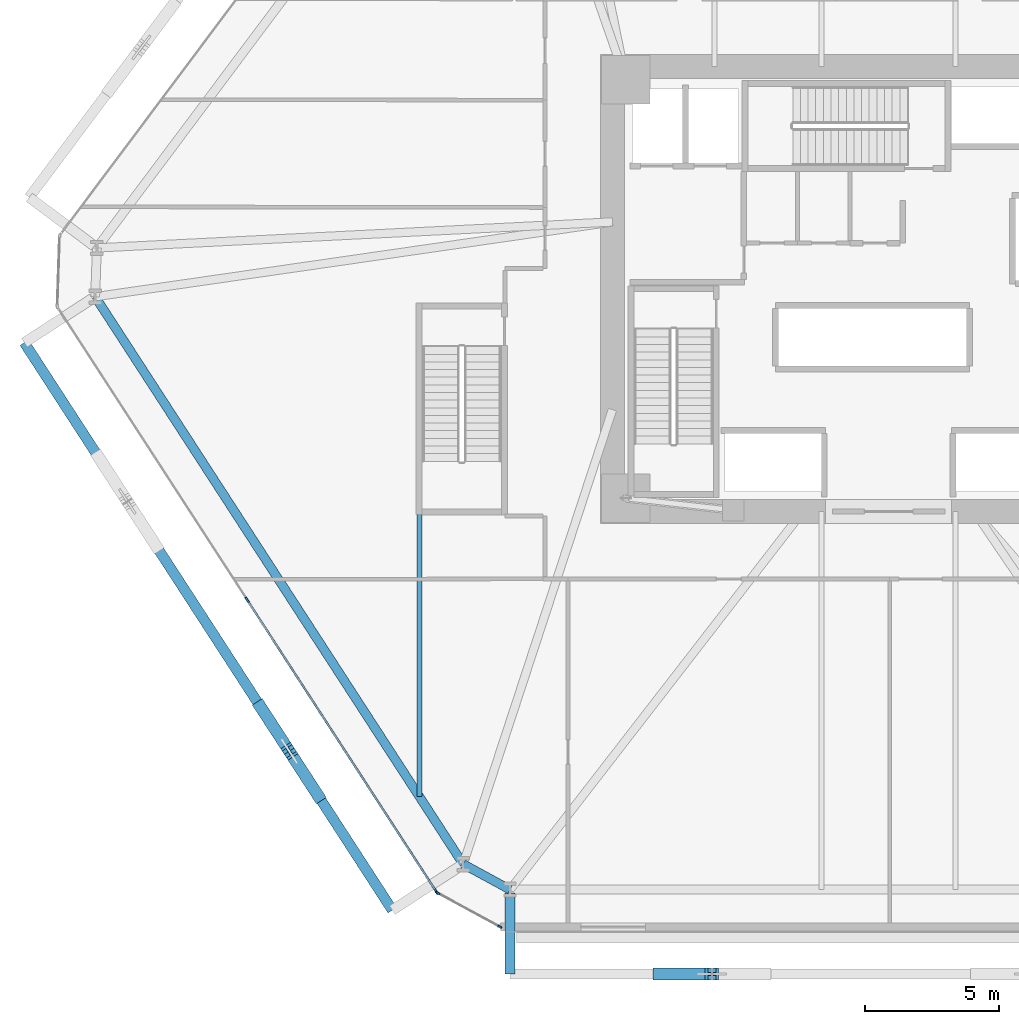
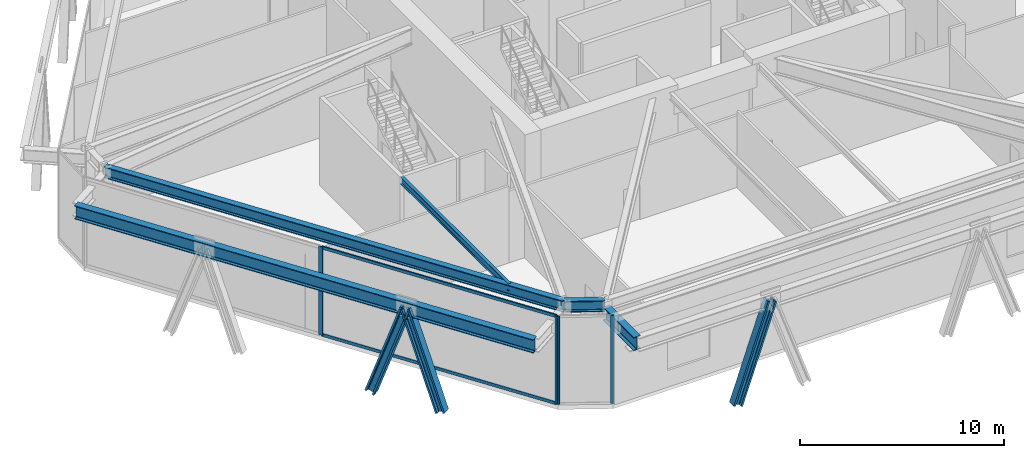
# One storey, part 2 of 23: 9 members, 5 beams, 2 elements without a shape of their own.
"""IFC4 building model written with IfcOpenShell, lengths in metres."""

from ifc_helpers import new_model, si_unit, direction, frame, origin, origin_2d, place, context, subcontext, project, spatial, rectangle, i_section, extrude, source, transform, mapped, material, layer, layer_set, material_profile, profile_set, type_object, type_shapes, element, aggregate, save


model = new_model("IFC4")

# Units and contexts
model_context = context("Model", 3, precision=1e-05, world=origin(), true_north=direction((0.0, 1.0)))
body_context = subcontext(model_context, "Body", "Model", "MODEL_VIEW")
ifc_project = project(units=[si_unit("LENGTHUNIT", "METRE"), si_unit("AREAUNIT", "SQUARE_METRE"), si_unit("VOLUMEUNIT", "CUBIC_METRE"), si_unit("PLANEANGLEUNIT", "RADIAN"), si_unit("MASSUNIT", "GRAM", prefix="KILO")], contexts=[model_context])

# Site, building, storey
site_placement = place(None, origin())
site = spatial("IfcSite", under=ifc_project, at=site_placement, CompositionType="ELEMENT")
building_placement = place(site_placement, origin())
building = spatial("IfcBuilding", under=site, at=building_placement, Name="Durnholm Broadcast Tower", CompositionType="ELEMENT")
storey_placement = place(building_placement, frame((0.0, 0.0, 21.199951171875)))
storey = spatial("IfcBuildingStorey", under=building, at=storey_placement, Name="L04", CompositionType="ELEMENT", Elevation=21.199951171875)

# Beams
ifc_material_1 = material(Name="Steel ASTM A992 Grade 50", Category="steel")
ifc_material_profile_1 = material_profile(ifc_material_1, i_section(OverallWidth=0.3330078125, OverallDepth=0.660888671875, WebThickness=0.0244140625, FlangeThickness=0.0439453125, FilletRadius=0.02783203125, at=origin_2d()), Name="W24X229")
ifc_profile_set_1 = profile_set([ifc_material_profile_1], Name="Steel ASTM A992 Grade 50")
beam_type_1 = type_object("IfcBeamType", Name="STL-SP-W24X229", PredefinedType="SPANDREL", material=ifc_profile_set_1)
shared_shape_1 = source(origin(), body_context, "Body", "SweptSolid", [
    extrude(i_section(OverallWidth=0.3330078125, OverallDepth=0.660888671875, WebThickness=0.0244140625, FlangeThickness=0.0439453125, FilletRadius=0.02783203125, at=origin_2d()), origin(), (0.0, 0.0, 1.0), 25.22265625),
])
beam_1_placement = place(storey_placement, frame((-15.866455078125, -21.45068359375, 4.9345703125), z_axis=(-0.544117081794, 0.839009297505, 0.0), x_axis=(-0.839009297505, -0.544117081794, 0.0)))
element("IfcBeam", 1, at=beam_1_placement, inside=storey, type_object=beam_type_1, Name="L04 perimeter spandrel girder 01", PredefinedType="SPANDREL", context=body_context, shape_type="MappedRepresentation", body=[
    mapped(shared_shape_1, transform((0.0, 0.0, 0.0), x_axis=(1.0, 0.0, 0.0), y_axis=(0.0, 1.0, 0.0), z_axis=(0.0, 0.0, 1.0), scale=1.0)),
])
shared_shape_2 = source(origin(), body_context, "Body", "SweptSolid", [
    extrude(i_section(OverallWidth=0.3330078125, OverallDepth=0.660888671875, WebThickness=0.0244140625, FlangeThickness=0.0439453125, FilletRadius=0.02783203125, at=origin_2d()), origin(), (0.0, 0.0, 1.0), 1.98828125),
])
type_shapes(beam_type_1, [shared_shape_1, shared_shape_2])
beam_2_placement = place(storey_placement, frame((-14.119384765625, -22.39990234375, 4.9345703125), z_axis=(-0.878682739647, 0.477406161508, 0.0), x_axis=(-0.477406161508, -0.878682739647, 0.0)))
element("IfcBeam", 2, at=beam_2_placement, inside=storey, type_object=beam_type_1, Name="L04 perimeter spandrel girder 12", PredefinedType="SPANDREL", context=body_context, shape_type="MappedRepresentation", body=[
    mapped(shared_shape_2, transform((0.0, 0.0, 0.0), x_axis=(1.0, 0.0, 0.0), y_axis=(0.0, 1.0, 0.0), z_axis=(0.0, 0.0, 1.0), scale=1.0)),
])
ifc_material_profile_2 = material_profile(ifc_material_1, i_section(OverallWidth=0.180908203125, OverallDepth=0.417236328125, WebThickness=0.010986328125, FlangeThickness=0.018310546875, FilletRadius=0.01904296875, at=origin_2d()), Name="W16X57")
ifc_profile_set_2 = profile_set([ifc_material_profile_2], Name="Steel ASTM A992 Grade 50")
beam_type_2 = type_object("IfcBeamType", Name="STL-BJ-W16X57", PredefinedType="JOIST", material=ifc_profile_set_2)
shared_shape_3 = source(origin(), body_context, "Body", "SweptSolid", [
    extrude(i_section(OverallWidth=0.180908203125, OverallDepth=0.417236328125, WebThickness=0.010986328125, FlangeThickness=0.018310546875, FilletRadius=0.01904296875, at=origin_2d()), origin(), (0.0, 0.0, 1.0), 10.581787109375),
])
type_shapes(beam_type_2, [shared_shape_3])
beam_3_placement = place(storey_placement, frame((-17.5, -18.931884765625, 5.056396484375), z_axis=(0.0, 1.0, 0.0), x_axis=(-1.0, 0.0, 0.0)))
element("IfcBeam", 3, at=beam_3_placement, inside=storey, type_object=beam_type_2, Name="L04 secondary floor joist 2.1", PredefinedType="JOIST", context=body_context, shape_type="MappedRepresentation", body=[
    mapped(shared_shape_3, transform((0.0, 0.0, 0.0), x_axis=(1.0, 0.0, 0.0), y_axis=(0.0, 1.0, 0.0), z_axis=(0.0, 0.0, 1.0), scale=1.0)),
])
ifc_material_profile_3 = material_profile(ifc_material_1, i_section(OverallWidth=0.385009765625, OverallDepth=0.802978515625, WebThickness=0.023681640625, FlangeThickness=0.0419921875, FilletRadius=0.032958984375, at=origin_2d()), Name="W30X261")
ifc_profile_set_3 = profile_set([ifc_material_profile_3], Name="Steel ASTM A992 Grade 50")
beam_type_3 = type_object("IfcBeamType", Name="BM-EXO-TIE", PredefinedType="USERDEFINED", material=ifc_profile_set_3)
shared_shape_4 = source(origin(), body_context, "Body", "SweptSolid", [
    extrude(i_section(OverallWidth=0.385009765625, OverallDepth=0.802978515625, WebThickness=0.023681640625, FlangeThickness=0.0419921875, FilletRadius=0.032958984375, at=origin_2d()), origin(), (0.0, 0.0, 1.0), 3.024169921875),
])
beam_4_placement = place(storey_placement, frame((-14.119384765625, -22.52587890625, 4.528564453125), z_axis=(0.0, -1.0, 0.0), x_axis=(1.0, 0.0, 0.0)))
element("IfcBeam", 4, at=beam_4_placement, inside=storey, type_object=beam_type_3, Name="L04 exoskeleton stand-off tie bracket F1.1", ObjectType="GIRDER", PredefinedType="USERDEFINED", context=body_context, shape_type="MappedRepresentation", body=[
    mapped(shared_shape_4, transform((0.0, 0.0, 0.0), x_axis=(1.0, 0.0, 0.0), y_axis=(0.0, 1.0, 0.0), z_axis=(0.0, 0.0, 1.0), scale=1.0)),
])
shared_shape_5 = source(origin(), body_context, "Body", "SweptSolid", [
    extrude(i_section(OverallWidth=0.385009765625, OverallDepth=0.802978515625, WebThickness=0.023681640625, FlangeThickness=0.0419921875, FilletRadius=0.032958984375, at=origin_2d()), origin(), (0.0, 0.0, 1.0), 25.222412109375),
])
type_shapes(beam_type_3, [shared_shape_4, shared_shape_5])
beam_5_placement = place(storey_placement, frame((-32.2333984375, -2.002685546875, 4.528564453125), z_axis=(0.544114686912, -0.839010850637, 0.0), x_axis=(0.839010850637, 0.544114686912, 0.0)))
element("IfcBeam", 5, at=beam_5_placement, inside=storey, type_object=beam_type_3, Name="L04 exoskeleton collector spandrel F6", PredefinedType="SPANDREL", context=body_context, shape_type="MappedRepresentation", body=[
    mapped(shared_shape_5, transform((0.0, 0.0, 0.0), x_axis=(1.0, 0.0, 0.0), y_axis=(0.0, 1.0, 0.0), z_axis=(0.0, 0.0, 1.0), scale=1.0)),
])

# Members
ifc_material_2 = material(Name="Steel ASTM A913 Grade 65", Category="steel")
ifc_material_profile_4 = material_profile(ifc_material_2, i_section(OverallWidth=0.44189453125, OverallDepth=0.531494140625, WebThickness=0.06591796875, FlangeThickness=0.105712890625, FilletRadius=0.030517578125, at=origin_2d()), Name="W14X605")
ifc_profile_set_4 = profile_set([ifc_material_profile_4], Name="Steel ASTM A913 Grade 65")
member_type_1 = type_object("IfcMemberType", Name="STL-DG-W14X605", PredefinedType="BRACE", material=ifc_profile_set_4)
shared_shape_6 = source(origin(), body_context, "Body", "SweptSolid", [
    extrude(i_section(OverallWidth=0.44189453125, OverallDepth=0.531494140625, WebThickness=0.06591796875, FlangeThickness=0.105712890625, FilletRadius=0.030517578125, at=origin_2d()), origin(), (0.0, 0.0, 1.0), 5.927978515625),
])
type_shapes(member_type_1, [shared_shape_6])
for number, where, z_axis, x_axis, name in (
    (6, (-8.533935546875, -25.550048828125, -1.071533203125), (0.327953495245, 0.0, 0.944693868381), (0.0, 1.0, 0.0), "L04 stand-off diagrid brace F1.D1.1"),
    (7, (-23.409912109375, -15.60791015625, -1.071533203125), (0.178450941475, -0.27519252041, 0.944682136063), (0.839034101522, 0.544078832968, 0.0), "L04 stand-off diagrid brace F6.D2.1"),
    (8, (-21.294189453125, -18.870361328125, -1.071533203125), (-0.178452963845, 0.275154454523, 0.944692842066), (-0.838996925284, -0.544136158847, 0.0), "L04 stand-off diagrid brace F6.D2.2"),
):
    element("IfcMember", number, at=place(storey_placement, frame(where, z_axis=z_axis, x_axis=x_axis)), inside=storey, type_object=member_type_1, Name=name, PredefinedType="BRACE", context=body_context, shape_type="MappedRepresentation", body=[
        mapped(shared_shape_6, transform((0.0, 0.0, 0.0), x_axis=(1.0, 0.0, 0.0), y_axis=(0.0, 1.0, 0.0), z_axis=(0.0, 0.0, 1.0), scale=1.0)),
    ])

# Curtain wall, members
ifc_material_3 = material(Name="Aluminium and Solar Control IGU", Category="aluminium")
ifc_layer_1 = layer(ifc_material_3, 0.219970703125)
ifc_layer_set_1 = layer_set([ifc_layer_1], Name="Aluminium and Solar Control IGU")
curtain_wall_type_1 = type_object("IfcCurtainWallType", Name="CW-SYS-2", PredefinedType="NOTDEFINED", material=ifc_layer_set_1)
curtain_wall_1_placement = place(storey_placement, origin())
curtain_wall_1 = element("IfcCurtainWall", 9, at=curtain_wall_1_placement, inside=storey, type_object=curtain_wall_type_1, Name="L04 curtain wall CW-STUDIO CW-L04-F12", PredefinedType="NOTDEFINED")
ifc_material_4 = material(Name="Aluminium 6063-T6", Category="aluminium")
ifc_material_profile_5 = material_profile(ifc_material_4, rectangle(XDim=0.074951171875, YDim=0.179931640625, at=origin_2d()), Name="CWT75X180")
ifc_profile_set_5 = profile_set([ifc_material_profile_5], Name="Aluminium 6063-T6")
member_type_2 = type_object("IfcMemberType", Name="CW-SYS-2-TRN", PredefinedType="USERDEFINED", material=ifc_profile_set_5)
shared_shape_7 = source(origin(), body_context, "Body", "SweptSolid", [
    extrude(rectangle(XDim=0.074951171875, YDim=0.179931640625, at=origin_2d()), origin(), (0.0, 0.0, 1.0), 12.896728515625),
])
type_shapes(member_type_2, [shared_shape_7])
member_1_placement = place(storey_placement, frame((-16.888427734375, -22.447998046875, 0.03759765625), z_axis=(-0.544101072489, 0.839019679695, 0.0), x_axis=(-0.839019679695, -0.544101072489, 0.0)))
member_1 = element("IfcMember", 10, at=member_1_placement, type_object=member_type_2, Name="CW-STUDIO transom 1.1", ObjectType="TRANSOM", PredefinedType="USERDEFINED", context=body_context, shape_type="MappedRepresentation", body=[
    mapped(shared_shape_7, transform((0.0, 0.0, 0.0), x_axis=(1.0, 0.0, 0.0), y_axis=(0.0, 1.0, 0.0), z_axis=(0.0, 0.0, 1.0), scale=1.0)),
])
member_2_placement = place(storey_placement, frame((-16.888427734375, -22.447998046875, 5.242431640625), z_axis=(-0.544101072489, 0.839019679695, 0.0), x_axis=(-0.839019679695, -0.544101072489, 0.0)))
member_2 = element("IfcMember", 11, at=member_2_placement, type_object=member_type_2, Name="CW-STUDIO transom 1.2", ObjectType="TRANSOM", PredefinedType="USERDEFINED", context=body_context, shape_type="MappedRepresentation", body=[
    mapped(shared_shape_7, transform((0.0, 0.0, 0.0), x_axis=(1.0, 0.0, 0.0), y_axis=(0.0, 1.0, 0.0), z_axis=(0.0, 0.0, 1.0), scale=1.0)),
])

ifc_layer_2 = layer(ifc_material_3, 0.1650390625)
ifc_layer_set_2 = layer_set([ifc_layer_2], Name="Aluminium and Solar Control IGU")
curtain_wall_type_2 = type_object("IfcCurtainWallType", Name="CW-SYS-5", PredefinedType="NOTDEFINED", material=ifc_layer_set_2)
curtain_wall_2_placement = place(storey_placement, origin())
curtain_wall_2 = element("IfcCurtainWall", 12, at=curtain_wall_2_placement, inside=storey, type_object=curtain_wall_type_2, Name="L04 curtain wall CW-CORNER CW-L04-CRN-11", PredefinedType="NOTDEFINED")
ifc_material_profile_6 = material_profile(ifc_material_4, rectangle(XDim=0.06494140625, YDim=0.1650390625, at=origin_2d()), Name="CWM65X165")
ifc_profile_set_6 = profile_set([ifc_material_profile_6], Name="Aluminium 6063-T6")
member_type_3 = type_object("IfcMemberType", Name="CW-SYS-5-MUL", PredefinedType="MULLION", material=ifc_profile_set_6)
shared_shape_8 = source(origin(), body_context, "Body", "SweptSolid", [
    extrude(rectangle(XDim=0.06494140625, YDim=0.1650390625, at=origin_2d()), origin(), (0.0, 0.0, 1.0), 5.280029296875),
])
type_shapes(member_type_3, [shared_shape_8])
member_3_placement = place(storey_placement, frame((-14.503662109375, -23.784423828125, 0.0), z_axis=(0.0, 0.0, 1.0), x_axis=(-0.477442460995, -0.878663016429, 0.0)))
member_3 = element("IfcMember", 13, at=member_3_placement, type_object=member_type_3, Name="CW-CORNER mullion 1", PredefinedType="MULLION", context=body_context, shape_type="MappedRepresentation", body=[
    mapped(shared_shape_8, transform((0.0, 0.0, 0.0), x_axis=(1.0, 0.0, 0.0), y_axis=(0.0, 1.0, 0.0), z_axis=(0.0, 0.0, 1.0), scale=1.0)),
])
member_4_placement = place(storey_placement, frame((-16.81884765625, -22.5263671875, 0.0), z_axis=(0.0, 0.0, 1.0), x_axis=(-0.477442460995, -0.878663016429, 0.0)))
member_4 = element("IfcMember", 14, at=member_4_placement, type_object=member_type_3, Name="CW-CORNER mullion 2", PredefinedType="MULLION", context=body_context, shape_type="MappedRepresentation", body=[
    mapped(shared_shape_8, transform((0.0, 0.0, 0.0), x_axis=(1.0, 0.0, 0.0), y_axis=(0.0, 1.0, 0.0), z_axis=(0.0, 0.0, 1.0), scale=1.0)),
])
aggregate(curtain_wall_2, [member_3, member_4])

# Member
ifc_material_profile_7 = material_profile(ifc_material_4, rectangle(XDim=0.074951171875, YDim=0.219970703125, at=origin_2d()), Name="CWM75X220")
ifc_profile_set_7 = profile_set([ifc_material_profile_7], Name="Aluminium 6063-T6")
member_type_4 = type_object("IfcMemberType", Name="CW-SYS-2-MUL", PredefinedType="MULLION", material=ifc_profile_set_7)
shared_shape_9 = source(origin(), body_context, "Body", "SweptSolid", [
    extrude(rectangle(XDim=0.074951171875, YDim=0.219970703125, at=origin_2d()), origin(), (0.0, 0.0, 1.0), 5.280029296875),
])
type_shapes(member_type_4, [shared_shape_9])
member_5_placement = place(storey_placement, frame((-16.867919921875, -22.4794921875, 0.0), z_axis=(0.0, 0.0, 1.0), x_axis=(-0.839009373297, -0.544116964926, 0.0)))
member_5 = element("IfcMember", 15, at=member_5_placement, type_object=member_type_4, Name="CW-STUDIO mullion 1", PredefinedType="MULLION", context=body_context, shape_type="MappedRepresentation", body=[
    mapped(shared_shape_9, transform((0.0, 0.0, 0.0), x_axis=(1.0, 0.0, 0.0), y_axis=(0.0, 1.0, 0.0), z_axis=(0.0, 0.0, 1.0), scale=1.0)),
])

member_6_placement = place(storey_placement, frame((-23.926025390625, -11.59619140625, 0.0), z_axis=(0.0, 0.0, 1.0), x_axis=(-0.839009373297, -0.544116964926, 0.0)))
member_6 = element("IfcMember", 16, at=member_6_placement, type_object=member_type_4, Name="CW-STUDIO mullion 2", PredefinedType="MULLION", context=body_context, shape_type="MappedRepresentation", body=[
    mapped(shared_shape_9, transform((0.0, 0.0, 0.0), x_axis=(1.0, 0.0, 0.0), y_axis=(0.0, 1.0, 0.0), z_axis=(0.0, 0.0, 1.0), scale=1.0)),
])

aggregate(curtain_wall_1, [member_5, member_6, member_1, member_2])

save(model, "model.ifc")
